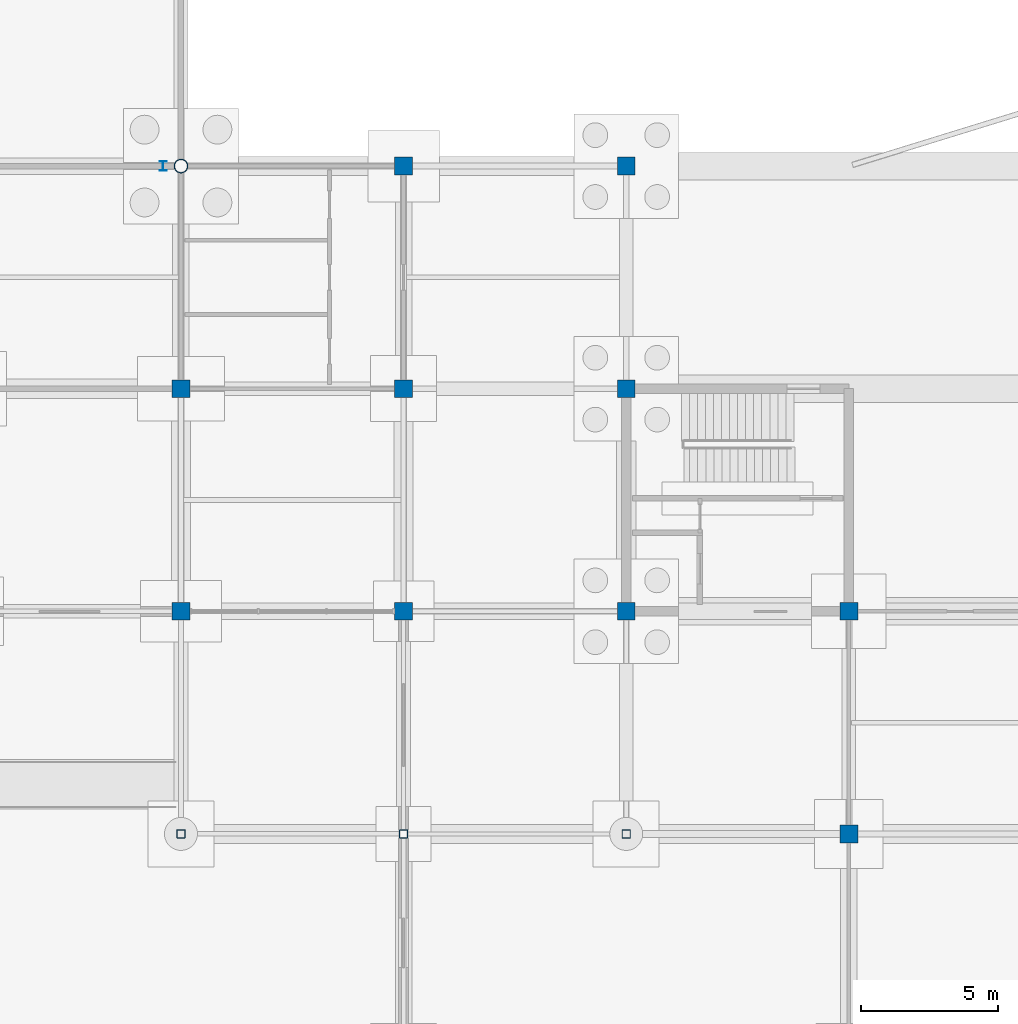
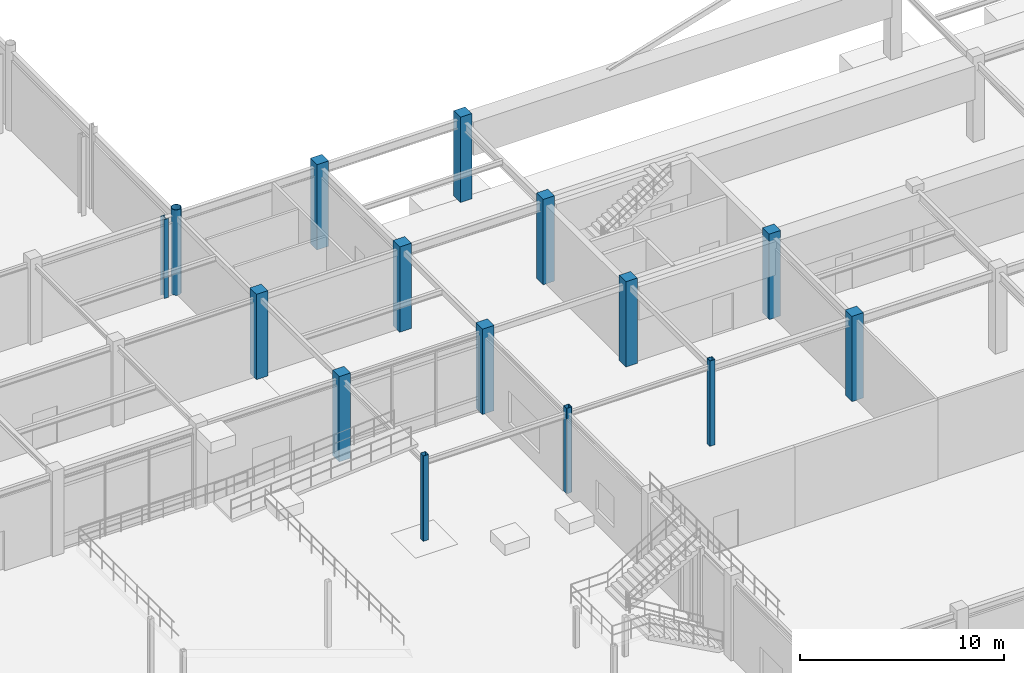
# One storey, part 14 of 67: 15 columns.
"""IFC4 building model written with IfcOpenShell, lengths in metres."""

from ifc_helpers import new_model, si_unit, direction, frame, origin, origin_2d, place, context, subcontext, project, spatial, rectangle, hollow_rectangle, hollow_circle, i_section, extrude, material, material_profile, profile_set, type_object, element, save


model = new_model("IFC4")

# Units and contexts
model_context = context("Model", 3, precision=1e-05, world=origin(), true_north=direction((0.0, 1.0)))
body_context = subcontext(model_context, "Body", "Model", "MODEL_VIEW")
ifc_project = project(units=[si_unit("LENGTHUNIT", "METRE"), si_unit("AREAUNIT", "SQUARE_METRE"), si_unit("VOLUMEUNIT", "CUBIC_METRE"), si_unit("PLANEANGLEUNIT", "RADIAN"), si_unit("MASSUNIT", "GRAM", prefix="KILO")], contexts=[model_context])

# Site, building, storey
site_placement = place(None, origin())
site = spatial("IfcSite", under=ifc_project, at=site_placement, CompositionType="ELEMENT")
building_placement = place(site_placement, origin())
building = spatial("IfcBuilding", under=site, at=building_placement, Name="Vaudrelin Polytechnic", CompositionType="ELEMENT")
storey_placement = place(building_placement, frame((0.0, 0.0, -5.10009765625)))
storey = spatial("IfcBuildingStorey", under=building, at=storey_placement, Name="B1", CompositionType="ELEMENT", Elevation=-5.10009765625)

# Columns
ifc_material_1 = material(Name="Steel CSA G40.21 350WT", Category="steel")
ifc_material_profile_1 = material_profile(ifc_material_1, hollow_rectangle(XDim=0.304931640625, YDim=0.304931640625, WallThickness=0.0126953125, InnerFilletRadius=0.0126953125, OuterFilletRadius=0.025390625, at=origin_2d()), Name="HSS305x305x12.7")
ifc_profile_set_1 = profile_set([ifc_material_profile_1], Name="Steel CSA G40.21 350WT")
column_type_1 = type_object("IfcColumnType", Name="COL-C-HSS305", PredefinedType="COLUMN", material=ifc_profile_set_1)
for number, where, z_axis, x_axis, name in (
    (1, (32.39990234375, 24.300048828125, 0.0), (0.0, 0.0, 1.0), (1.0, 0.0, 0.0), "Column B1 5-4"),
    (2, (40.5, 24.300048828125, 0.0), (0.0, 0.0, 1.0), (1.0, 0.0, 0.0), "Column B1 6-4"),
    (3, (48.60009765625, 24.300048828125, 0.0), (0.0, 0.0, 1.0), (1.0, 0.0, 0.0), "Column B1 7-4"),
):
    element("IfcColumn", number, at=place(storey_placement, frame(where, z_axis=z_axis, x_axis=x_axis)), inside=storey, type_object=column_type_1, Name=name, PredefinedType="COLUMN", context=body_context, shape_type="SweptSolid", body=[
        extrude(hollow_rectangle(XDim=0.304931640625, YDim=0.304931640625, WallThickness=0.0126953125, InnerFilletRadius=0.0126953125, OuterFilletRadius=0.025390625, at=origin_2d()), origin(), (0.0, 0.0, 1.0), 5.10009765625),
    ])
ifc_material_2 = material(Name="Concrete 40 MPa", Category="concrete")
ifc_material_profile_2 = material_profile(ifc_material_2, rectangle(XDim=0.64990234375, YDim=0.64990234375, at=origin_2d()), Name="RC650x650")
ifc_profile_set_2 = profile_set([ifc_material_profile_2], Name="Concrete 40 MPa")
column_type_2 = type_object("IfcColumnType", Name="COL-C-RC650", PredefinedType="COLUMN", material=ifc_profile_set_2)
for number, where, z_axis, x_axis, name in (
    (4, (32.39990234375, 32.39990234375, 0.0), (0.0, 0.0, 1.0), (1.0, 0.0, 0.0), "Column B1 5-5"),
    (5, (32.39990234375, 40.5, 0.0), (0.0, 0.0, 1.0), (1.0, 0.0, 0.0), "Column B1 5-6"),
    (6, (40.5, 32.39990234375, 0.0), (0.0, 0.0, 1.0), (1.0, 0.0, 0.0), "Column B1 6-5"),
    (7, (40.5, 40.5, 0.0), (0.0, 0.0, 1.0), (1.0, 0.0, 0.0), "Column B1 6-6"),
    (8, (40.5, 48.60009765625, 0.0), (0.0, 0.0, 1.0), (1.0, 0.0, 0.0), "Column B1 6-7"),
    (9, (48.60009765625, 32.39990234375, 0.0), (0.0, 0.0, 1.0), (1.0, 0.0, 0.0), "Column B1 7-5"),
    (10, (48.60009765625, 40.5, 0.0), (0.0, 0.0, 1.0), (1.0, 0.0, 0.0), "Column B1 7-6"),
    (11, (48.60009765625, 48.60009765625, 0.0), (0.0, 0.0, 1.0), (1.0, 0.0, 0.0), "Column B1 7-7"),
    (12, (56.699951171875, 24.300048828125, 0.0), (0.0, 0.0, 1.0), (1.0, 0.0, 0.0), "Column B1 8-4"),
    (13, (56.699951171875, 32.39990234375, 0.0), (0.0, 0.0, 1.0), (1.0, 0.0, 0.0), "Column B1 8-5"),
):
    element("IfcColumn", number, at=place(storey_placement, frame(where, z_axis=z_axis, x_axis=x_axis)), inside=storey, type_object=column_type_2, Name=name, PredefinedType="COLUMN", context=body_context, shape_type="SweptSolid", body=[
        extrude(rectangle(XDim=0.64990234375, YDim=0.64990234375, at=origin_2d()), origin(), (0.0, 0.0, 1.0), 5.10009765625),
    ])
ifc_material_profile_3 = material_profile(ifc_material_1, hollow_circle(Radius=0.25390625, WallThickness=0.01904296875, at=origin_2d()), Name="CHS508.0x19.1")
ifc_profile_set_3 = profile_set([ifc_material_profile_3], Name="Steel CSA G40.21 350WT")
column_type_3 = type_object("IfcColumnType", Name="COL-C-TR508", PredefinedType="COLUMN", material=ifc_profile_set_3)
column_1_placement = place(storey_placement, frame((32.39990234375, 48.60009765625, 0.0), z_axis=(0.0, 0.0, 1.0), x_axis=(1.0, 0.0, 0.0)))
element("IfcColumn", 14, at=column_1_placement, inside=storey, type_object=column_type_3, Name="Column B1 5-7", PredefinedType="COLUMN", context=body_context, shape_type="SweptSolid", body=[
    extrude(hollow_circle(Radius=0.25390625, WallThickness=0.01904296875, at=origin_2d()), origin(), (0.0, 0.0, 1.0), 5.10009765625),
])
ifc_material_3 = material(Name="Steel CSA G40.21 350W", Category="steel")
ifc_material_profile_4 = material_profile(ifc_material_3, i_section(OverallWidth=0.25390625, OverallDepth=0.35302734375, WebThickness=0.009521484375, FlangeThickness=0.016357421875, FilletRadius=0.01611328125, at=origin_2d()), Name="W360x91")
ifc_profile_set_4 = profile_set([ifc_material_profile_4], Name="Steel CSA G40.21 350W")
column_type_4 = type_object("IfcColumnType", Name="COL-C-W360", PredefinedType="PILASTER", material=ifc_profile_set_4)
column_2_placement = place(storey_placement, frame((31.75, 48.60009765625, 0.0), z_axis=(0.0, 0.0, 1.0), x_axis=(1.0, 0.0, 0.0)))
element("IfcColumn", 15, at=column_2_placement, inside=storey, type_object=column_type_4, Name="Basement crane support post EAST-6", PredefinedType="PILASTER", context=body_context, shape_type="SweptSolid", body=[
    extrude(i_section(OverallWidth=0.25390625, OverallDepth=0.35302734375, WebThickness=0.009521484375, FlangeThickness=0.016357421875, FilletRadius=0.01611328125, at=origin_2d()), origin(), (0.0, 0.0, 1.0), 4.72412109375),
])

save(model, "model.ifc")
